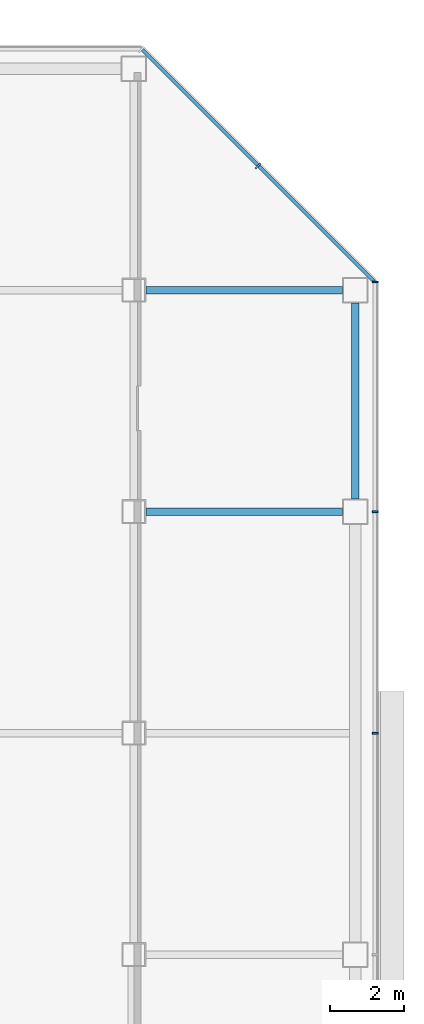
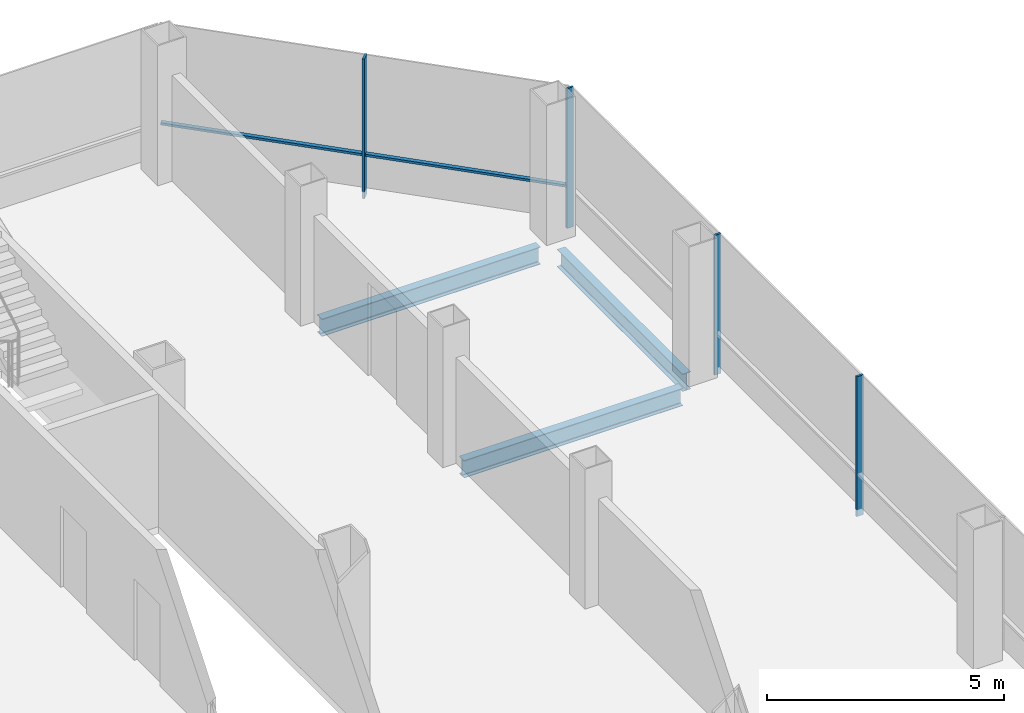
# One storey, part 18 of 27: 5 members, 3 beams, 2 elements without a shape of their own.
"""IFC4 building model written with IfcOpenShell, lengths in metres."""

from ifc_helpers import new_model, si_unit, direction, frame, origin, origin_2d, place, context, subcontext, project, spatial, rectangle, i_section, extrude, material, material_profile, profile_set, type_object, element, aggregate, save


model = new_model("IFC4")

# Units and contexts
model_context = context("Model", 3, precision=1e-05, world=origin(), true_north=direction((0.0, 1.0)))
body_context = subcontext(model_context, "Body", "Model", "MODEL_VIEW")
ifc_project = project(units=[si_unit("LENGTHUNIT", "METRE"), si_unit("AREAUNIT", "SQUARE_METRE"), si_unit("VOLUMEUNIT", "CUBIC_METRE"), si_unit("PLANEANGLEUNIT", "RADIAN"), si_unit("MASSUNIT", "GRAM", prefix="KILO")], contexts=[model_context])

# Site, building, storey
site_placement = place(None, origin())
site = spatial("IfcSite", under=ifc_project, at=site_placement, CompositionType="ELEMENT")
building_placement = place(site_placement, origin())
building = spatial("IfcBuilding", under=site, at=building_placement, Name="Sorahane Residences", CompositionType="ELEMENT")
storey_placement = place(building_placement, frame((0.0, 0.0, 195.60009765625)))
storey = spatial("IfcBuildingStorey", under=building, at=storey_placement, Name="L45", CompositionType="ELEMENT", Elevation=195.60009765625)

# Curtain wall, members
ifc_material_1 = material(Name="Dark low-e glass and black anodised aluminium", Category="aluminium")
curtain_wall_type_1 = type_object("IfcCurtainWallType", Name="Curtain wall CW-1 Typical unitised wall", PredefinedType="NOTDEFINED", material=ifc_material_1)
curtain_wall_1_placement = place(storey_placement, origin())
curtain_wall_1 = element("IfcCurtainWall", 1, at=curtain_wall_1_placement, inside=storey, type_object=curtain_wall_type_1, Name="CW-1 curtain wall L45 E1", PredefinedType="NOTDEFINED")
ifc_material_2 = material(Name="Black anodised aluminium", Category="aluminium")
ifc_material_profile_1 = material_profile(ifc_material_2, rectangle(XDim=0.159912109375, YDim=0.050048828125, at=origin_2d()), Name="Curtain wall mullion CW-1 black anodised aluminium 50x160")
ifc_profile_set_1 = profile_set([ifc_material_profile_1], Name="Black anodised aluminium")
member_type_1 = type_object("IfcMemberType", Name="Curtain wall mullion CW-1 black anodised aluminium 50x160", PredefinedType="MULLION", material=ifc_profile_set_1)
member_1_placement = place(storey_placement, frame((54.5400390625, 30.0, -0.18017578125), z_axis=(0.0, 0.0, 1.0), x_axis=(1.0, 0.0, 0.0)))
member_1 = element("IfcMember", 2, at=member_1_placement, type_object=member_type_1, Name="CW-1 mullion L45 E1.5", PredefinedType="MULLION", context=body_context, shape_type="SweptSolid", body=[
    extrude(rectangle(XDim=0.159912109375, YDim=0.050048828125, at=origin_2d()), origin(), (0.0, 0.0, 1.0), 3.60009765625),
])
member_2_placement = place(storey_placement, frame((54.5400390625, 36.0, -0.18017578125), z_axis=(0.0, 0.0, 1.0), x_axis=(1.0, 0.0, 0.0)))
member_2 = element("IfcMember", 3, at=member_2_placement, type_object=member_type_1, Name="CW-1 mullion L45 E1.6", PredefinedType="MULLION", context=body_context, shape_type="SweptSolid", body=[
    extrude(rectangle(XDim=0.159912109375, YDim=0.050048828125, at=origin_2d()), origin(), (0.0, 0.0, 1.0), 3.60009765625),
])
member_3_placement = place(storey_placement, frame((54.5400390625, 42.2236328125, -0.18017578125), z_axis=(0.0, 0.0, 1.0), x_axis=(1.0, 0.0, 0.0)))
member_3 = element("IfcMember", 4, at=member_3_placement, type_object=member_type_1, Name="CW-1 mullion L45 E1.7", PredefinedType="MULLION", context=body_context, shape_type="SweptSolid", body=[
    extrude(rectangle(XDim=0.159912109375, YDim=0.050048828125, at=origin_2d()), origin(), (0.0, 0.0, 1.0), 3.60009765625),
])
aggregate(curtain_wall_1, [member_1, member_2, member_3])

ifc_material_3 = material(Name="Dark low-e glass and black anodised aluminium", Category="aluminium")
curtain_wall_type_2 = type_object("IfcCurtainWallType", Name="Curtain wall CW-2 Chamfer unitised wall", PredefinedType="NOTDEFINED", material=ifc_material_3)
curtain_wall_2_placement = place(storey_placement, origin())
curtain_wall_2 = element("IfcCurtainWall", 5, at=curtain_wall_2_placement, inside=storey, type_object=curtain_wall_type_2, Name="CW-2 curtain wall L45 NE1", PredefinedType="NOTDEFINED")
ifc_material_4 = material(Name="Black anodised aluminium", Category="aluminium")
ifc_material_profile_2 = material_profile(ifc_material_4, rectangle(XDim=0.199951171875, YDim=0.050048828125, at=origin_2d()), Name="Curtain wall mullion CW-2 black anodised aluminium 50x200")
ifc_profile_set_2 = profile_set([ifc_material_profile_2], Name="Black anodised aluminium")
member_type_2 = type_object("IfcMemberType", Name="Curtain wall mullion CW-2 black anodised aluminium 50x200", PredefinedType="MULLION", material=ifc_profile_set_2)
member_4_placement = place(storey_placement, frame((51.36767578125, 45.36767578125, -0.18017578125), z_axis=(0.0, 0.0, 1.0), x_axis=(0.707106781187, 0.707106781187, 0.0)))
member_4 = element("IfcMember", 6, at=member_4_placement, type_object=member_type_2, Name="CW-2 mullion L45 NE1.2", PredefinedType="MULLION", context=body_context, shape_type="SweptSolid", body=[
    extrude(rectangle(XDim=0.199951171875, YDim=0.050048828125, at=origin_2d()), origin(), (0.0, 0.0, 1.0), 3.60009765625),
])
ifc_material_5 = material(Name="Black anodised aluminium", Category="aluminium")
ifc_material_profile_3 = material_profile(ifc_material_5, rectangle(XDim=0.10009765625, YDim=0.06005859375, at=origin_2d()), Name="Curtain wall transom CW-2 black anodised aluminium 60x100")
ifc_profile_set_3 = profile_set([ifc_material_profile_3], Name="Black anodised aluminium")
member_type_3 = type_object("IfcMemberType", Name="Curtain wall transom CW-2 black anodised aluminium 60x100", PredefinedType="USERDEFINED", material=ifc_profile_set_3)
member_5_placement = place(storey_placement, frame((54.51513671875, 42.234375, 0.89990234375), z_axis=(-0.707106781187, 0.707106781187, 0.0), x_axis=(-0.707106781187, -0.707106781187, 0.0)))
member_5 = element("IfcMember", 7, at=member_5_placement, type_object=member_type_3, Name="CW-2 transom L45 NE1", ObjectType="TRANSOM", PredefinedType="USERDEFINED", context=body_context, shape_type="SweptSolid", body=[
    extrude(rectangle(XDim=0.10009765625, YDim=0.06005859375, at=origin_2d()), origin(), (0.0, 0.0, 1.0), 8.88232421875),
])
aggregate(curtain_wall_2, [member_4, member_5])

# Beams
ifc_material_6 = material(Name="Steel Q355B", Category="steel")
ifc_material_profile_4 = material_profile(ifc_material_6, i_section(OverallWidth=0.199951171875, OverallDepth=0.449951171875, WebThickness=0.009033203125, FlangeThickness=0.013916015625, FilletRadius=0.02001953125, at=origin_2d()), Name="HN 450x200x9x14")
ifc_profile_set_4 = profile_set([ifc_material_profile_4], Name="Steel Q355B")
beam_type = type_object("IfcBeamType", Name="Steel floor beam HN 450x200x9x14 Q355B", PredefinedType="BEAM", material=ifc_profile_set_4)
beam_1_placement = place(storey_placement, frame((48.324951171875, 36.0, -0.405029296875), z_axis=(1.0, 0.0, 0.0), x_axis=(0.0, 1.0, 0.0)))
element("IfcBeam", 8, at=beam_1_placement, inside=storey, type_object=beam_type, Name="Beam L45 014", PredefinedType="BEAM", context=body_context, shape_type="SweptSolid", body=[
    extrude(i_section(OverallWidth=0.199951171875, OverallDepth=0.449951171875, WebThickness=0.009033203125, FlangeThickness=0.013916015625, FilletRadius=0.02001953125, at=origin_2d()), origin(), (0.0, 0.0, 1.0), 5.324951171875),
])
beam_2_placement = place(storey_placement, frame((54.0, 36.35009765625, -0.405029296875), z_axis=(0.0, 1.0, 0.0), x_axis=(-1.0, 0.0, 0.0)))
element("IfcBeam", 9, at=beam_2_placement, inside=storey, type_object=beam_type, Name="Beam L45 067", PredefinedType="BEAM", context=body_context, shape_type="SweptSolid", body=[
    extrude(i_section(OverallWidth=0.199951171875, OverallDepth=0.449951171875, WebThickness=0.009033203125, FlangeThickness=0.013916015625, FilletRadius=0.02001953125, at=origin_2d()), origin(), (0.0, 0.0, 1.0), 5.2998046875),
])
beam_3_placement = place(storey_placement, frame((48.324951171875, 42.0, -0.405029296875), z_axis=(1.0, 0.0, 0.0), x_axis=(0.0, 1.0, 0.0)))
element("IfcBeam", 10, at=beam_3_placement, inside=storey, type_object=beam_type, Name="Beam L45 092", PredefinedType="BEAM", context=body_context, shape_type="SweptSolid", body=[
    extrude(i_section(OverallWidth=0.199951171875, OverallDepth=0.449951171875, WebThickness=0.009033203125, FlangeThickness=0.013916015625, FilletRadius=0.02001953125, at=origin_2d()), origin(), (0.0, 0.0, 1.0), 5.324951171875),
])

save(model, "model.ifc")
